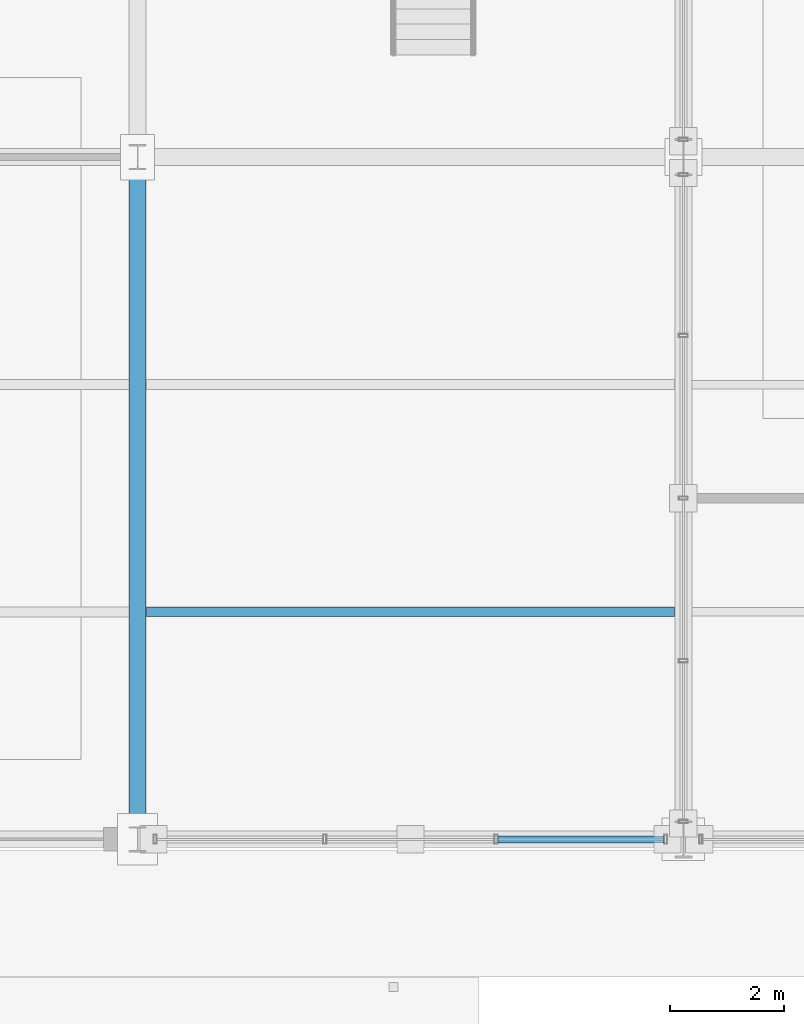
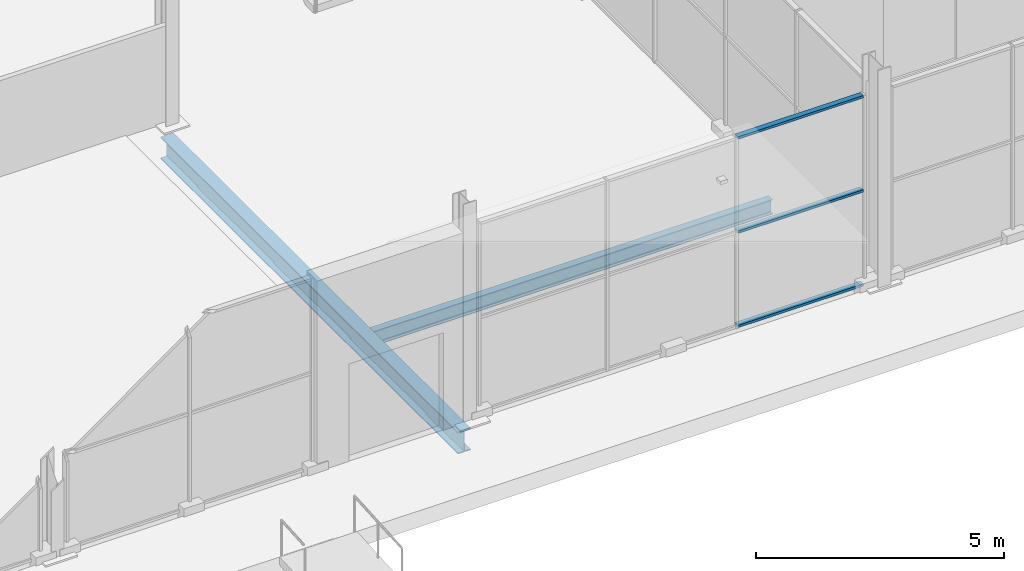
# One storey, part 40 of 196: 3 members, 2 beams, 1 element without a shape of its own.
"""IFC4 building model written with IfcOpenShell, lengths in metres."""

from ifc_helpers import new_model, si_unit, direction, frame, origin, origin_2d, place, context, subcontext, project, spatial, hollow_rectangle, i_section, extrude, material, material_profile, profile_set, type_object, element, aggregate, save


model = new_model("IFC4")

# Units and contexts
model_context = context("Model", 3, precision=1e-05, world=origin(), true_north=direction((0.0, 1.0)))
body_context = subcontext(model_context, "Body", "Model", "MODEL_VIEW")
ifc_project = project(units=[si_unit("LENGTHUNIT", "METRE"), si_unit("AREAUNIT", "SQUARE_METRE"), si_unit("VOLUMEUNIT", "CUBIC_METRE"), si_unit("PLANEANGLEUNIT", "RADIAN"), si_unit("MASSUNIT", "GRAM", prefix="KILO")], contexts=[model_context])

# Site, building, storey
site_placement = place(None, origin())
site = spatial("IfcSite", under=ifc_project, at=site_placement, CompositionType="ELEMENT")
building_placement = place(site_placement, origin())
building = spatial("IfcBuilding", under=site, at=building_placement, Name="Merenkruunu Market Hall", CompositionType="ELEMENT")
storey_placement = place(building_placement, origin())
storey = spatial("IfcBuildingStorey", under=building, at=storey_placement, Name="L00", CompositionType="ELEMENT", Elevation=0.0)

# Curtain wall, members
ifc_material_1 = material(Name="Powder-coated aluminium", Category="aluminium")
curtain_wall_type = type_object("IfcCurtainWallType", Name="Glazed Curtain Wall CW01", PredefinedType="USERDEFINED", material=ifc_material_1)
curtain_wall_placement = place(storey_placement, origin())
curtain_wall = element("IfcCurtainWall", 1, at=curtain_wall_placement, inside=storey, type_object=curtain_wall_type, Name="CW-L00-CWM01-034", ObjectType="GLAZED_FACADE", PredefinedType="USERDEFINED")
ifc_material_profile_1 = material_profile(ifc_material_1, hollow_rectangle(XDim=0.06005859375, YDim=0.125, WallThickness=0.00390625, at=origin_2d()), Name="ALU 60x125x4")
ifc_profile_set_1 = profile_set([ifc_material_profile_1], Name="Powder-coated aluminium")
member_type = type_object("IfcMemberType", Name="Curtain Wall Transom CWT01", PredefinedType="USERDEFINED", material=ifc_profile_set_1)
member_1_placement = place(storey_placement, frame((57.260009765625, 15.60009765625, 0.030029296875), z_axis=(-1.0, 0.0, 0.0), x_axis=(0.0, 0.0, 1.0)))
member_1 = element("IfcMember", 2, at=member_1_placement, type_object=member_type, Name="CW01 transom 1.1", ObjectType="TRANSOM", PredefinedType="USERDEFINED", context=body_context, shape_type="SweptSolid", body=[
    extrude(hollow_rectangle(XDim=0.06005859375, YDim=0.125, WallThickness=0.00390625, at=origin_2d()), origin(), (0.0, 0.0, 1.0), 2.92333984375),
])
member_2_placement = place(storey_placement, frame((57.260009765625, 15.60009765625, 2.35009765625), z_axis=(-1.0, 0.0, 0.0), x_axis=(0.0, 0.0, 1.0)))
member_2 = element("IfcMember", 3, at=member_2_placement, type_object=member_type, Name="CW01 transom 1.2", ObjectType="TRANSOM", PredefinedType="USERDEFINED", context=body_context, shape_type="SweptSolid", body=[
    extrude(hollow_rectangle(XDim=0.06005859375, YDim=0.125, WallThickness=0.00390625, at=origin_2d()), origin(), (0.0, 0.0, 1.0), 2.92333984375),
])
member_3_placement = place(storey_placement, frame((57.260009765625, 15.60009765625, 4.669921875), z_axis=(-1.0, 0.0, 0.0), x_axis=(0.0, 0.0, 1.0)))
member_3 = element("IfcMember", 4, at=member_3_placement, type_object=member_type, Name="CW01 transom 1.3", ObjectType="TRANSOM", PredefinedType="USERDEFINED", context=body_context, shape_type="SweptSolid", body=[
    extrude(hollow_rectangle(XDim=0.06005859375, YDim=0.125, WallThickness=0.00390625, at=origin_2d()), origin(), (0.0, 0.0, 1.0), 2.92333984375),
])
aggregate(curtain_wall, [member_1, member_2, member_3])

# Beams
ifc_material_2 = material(Name="Steel S355J2", Category="steel")
ifc_material_profile_2 = material_profile(ifc_material_2, i_section(OverallWidth=0.300048828125, OverallDepth=0.5400390625, WebThickness=0.012451171875, FlangeThickness=0.02392578125, FilletRadius=0.027099609375, at=origin_2d()), Name="HEA 550")
ifc_profile_set_2 = profile_set([ifc_material_profile_2], Name="Steel S355J2")
beam_type_1 = type_object("IfcBeamType", Name="Primary Floor Girder B06", PredefinedType="BEAM", material=ifc_profile_set_2)
beam_1_placement = place(storey_placement, frame((48.0, 15.60009765625, -0.610107421875), z_axis=(0.0, 1.0, 0.0), x_axis=(-1.0, 0.0, 0.0)))
element("IfcBeam", 5, at=beam_1_placement, inside=storey, type_object=beam_type_1, Name="BM-L00-B06-0176", PredefinedType="BEAM", context=body_context, shape_type="SweptSolid", body=[
    extrude(i_section(OverallWidth=0.300048828125, OverallDepth=0.5400390625, WebThickness=0.012451171875, FlangeThickness=0.02392578125, FilletRadius=0.027099609375, at=origin_2d()), origin(), (0.0, 0.0, 1.0), 12.0),
])
ifc_material_profile_3 = material_profile(ifc_material_2, i_section(OverallWidth=0.169921875, OverallDepth=0.360107421875, WebThickness=0.008056640625, FlangeThickness=0.0126953125, FilletRadius=0.01806640625, at=origin_2d()), Name="IPE 360")
ifc_profile_set_3 = profile_set([ifc_material_profile_3], Name="Steel S355J2")
beam_type_2 = type_object("IfcBeamType", Name="Secondary Floor Joist J03", PredefinedType="JOIST", material=ifc_profile_set_3)
beam_2_placement = place(storey_placement, frame((48.153076171875, 19.60009765625, -0.52001953125), z_axis=(1.0, 0.0, 0.0), x_axis=(0.0, 1.0, 0.0)))
element("IfcBeam", 6, at=beam_2_placement, inside=storey, type_object=beam_type_2, Name="BM-L00-J03-0333", PredefinedType="JOIST", context=body_context, shape_type="SweptSolid", body=[
    extrude(i_section(OverallWidth=0.169921875, OverallDepth=0.360107421875, WebThickness=0.008056640625, FlangeThickness=0.0126953125, FilletRadius=0.01806640625, at=origin_2d()), origin(), (0.0, 0.0, 1.0), 9.2939453125),
])

save(model, "model.ifc")
